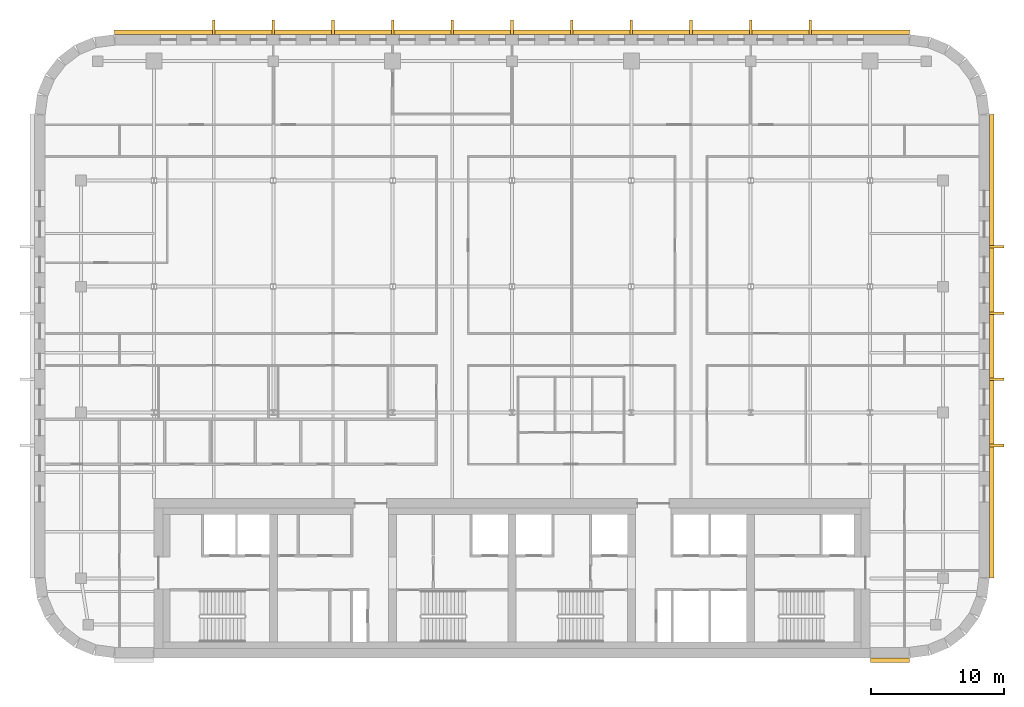
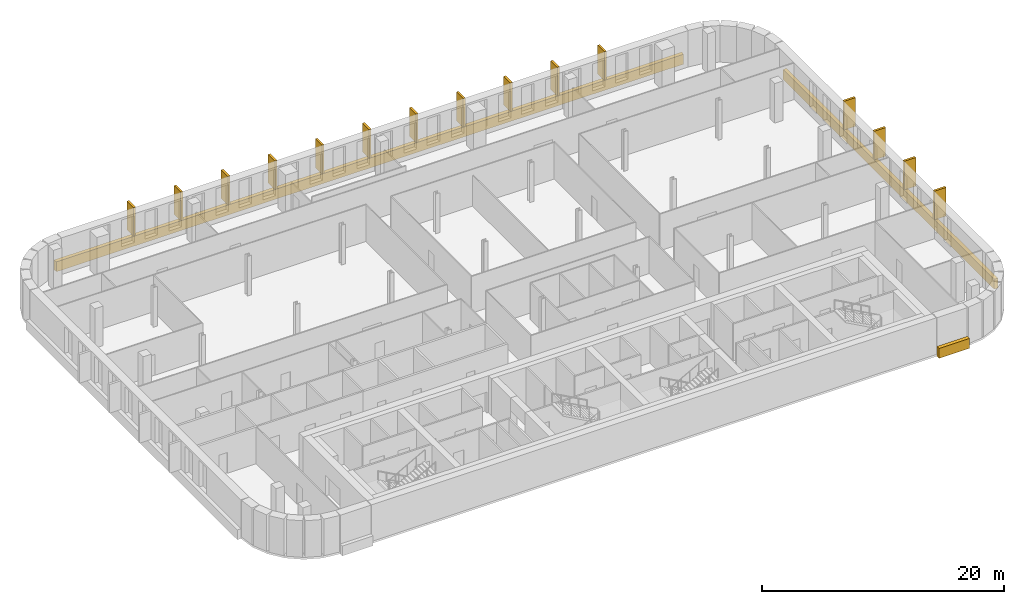
# One storey, part 15 of 15: 18 coverings.
"""IFC4 building model written with IfcOpenShell, lengths in metres."""

from ifc_helpers import new_model, si_unit, direction, frame, origin, place, context, subcontext, project, spatial, polyline, outline, extrude, material, layer, layer_set, type_object, element, save


model = new_model("IFC4")

# Units and contexts
model_context = context("Model", 3, precision=1e-05, world=origin(), true_north=direction((0.0, 1.0)))
body_context = subcontext(model_context, "Body", "Model", "MODEL_VIEW")
ifc_project = project(units=[si_unit("LENGTHUNIT", "METRE"), si_unit("AREAUNIT", "SQUARE_METRE"), si_unit("VOLUMEUNIT", "CUBIC_METRE"), si_unit("PLANEANGLEUNIT", "RADIAN"), si_unit("MASSUNIT", "GRAM", prefix="KILO")], contexts=[model_context])

# Site, building, storey
site_placement = place(None, origin())
site = spatial("IfcSite", under=ifc_project, at=site_placement, CompositionType="ELEMENT")
building_placement = place(site_placement, origin())
building = spatial("IfcBuilding", under=site, at=building_placement, Name="Zellij Exchange Tower", CompositionType="ELEMENT")
storey_placement = place(building_placement, frame((0.0, 0.0, 260.5)))
storey = spatial("IfcBuildingStorey", under=building, at=storey_placement, Name="L61", CompositionType="ELEMENT", Elevation=260.5)

# Coverings
ifc_material = material(Name="Limestone cladding", Category="masonry")
ifc_layer = layer(ifc_material, 0.35009765625)
ifc_layer_set = layer_set([ifc_layer], Name="Limestone cladding")
covering_type_1 = type_object("IfcCoveringType", Name="ENV-CV10 Stone spandrel band 350", PredefinedType="CLADDING", material=ifc_layer_set)
covering_1_placement = place(storey_placement, frame((0.0, 0.0, -0.199951171875)))
element("IfcCovering", 1, at=covering_1_placement, inside=storey, type_object=covering_type_1, Name="Stone spandrel band", PredefinedType="CLADDING", context=body_context, shape_type="SweptSolid", body=[
    extrude(outline(polyline([(27.050048828125, -14.0), (29.973876953125, -14.0), (29.973876953125, -14.35009765625), (27.050048828125, -14.35009765625), (27.050048828125, -14.0)])), origin(), (0.0, 0.0, 1.0), 1.0),
])
covering_2_placement = place(storey_placement, frame((0.0, 0.0, -0.199951171875)))
element("IfcCovering", 2, at=covering_2_placement, inside=storey, type_object=covering_type_1, Name="Stone spandrel band", PredefinedType="CLADDING", context=body_context, shape_type="SweptSolid", body=[
    extrude(outline(polyline([(36.0, -7.973876953125), (36.0, 26.973876953125), (36.35009765625, 26.99658203125), (36.35009765625, -7.99658203125), (36.0, -7.973876953125)])), origin(), (0.0, 0.0, 1.0), 1.0),
])
covering_3_placement = place(storey_placement, frame((0.0, 0.0, -0.199951171875)))
element("IfcCovering", 3, at=covering_3_placement, inside=storey, type_object=covering_type_1, Name="Stone spandrel band", PredefinedType="CLADDING", context=body_context, shape_type="SweptSolid", body=[
    extrude(outline(polyline([(29.973876953125, 33.0), (-29.973876953125, 33.0), (-29.99658203125, 33.35009765625), (29.99658203125, 33.35009765625), (29.973876953125, 33.0)])), origin(), (0.0, 0.0, 1.0), 1.0),
])
covering_type_2 = type_object("IfcCoveringType", Name="ENV-CV6 Stone pier 200x1100", PredefinedType="CLADDING", material=ifc_material)
covering_4_placement = place(storey_placement, frame((0.0, 0.0, 0.800048828125)))
element("IfcCovering", 4, at=covering_4_placement, inside=storey, type_object=covering_type_2, Name="Stone pier", PredefinedType="CLADDING", context=body_context, shape_type="SweptSolid", body=[
    extrude(outline(polyline([(36.0, 1.9111328125), (36.0, 2.111083984375), (37.10009765625, 2.111083984375), (37.10009765625, 1.9111328125), (36.0, 1.9111328125)])), origin(), (0.0, 0.0, 1.0), 2.89990234375),
])
covering_5_placement = place(storey_placement, frame((0.0, 0.0, 0.800048828125)))
element("IfcCovering", 5, at=covering_5_placement, inside=storey, type_object=covering_type_2, Name="Stone pier", PredefinedType="CLADDING", context=body_context, shape_type="SweptSolid", body=[
    extrude(outline(polyline([(36.0, 6.90380859375), (36.0, 7.103759765625), (37.10009765625, 7.103759765625), (37.10009765625, 6.90380859375), (36.0, 6.90380859375)])), origin(), (0.0, 0.0, 1.0), 2.89990234375),
])
covering_6_placement = place(storey_placement, frame((0.0, 0.0, 0.800048828125)))
element("IfcCovering", 6, at=covering_6_placement, inside=storey, type_object=covering_type_2, Name="Stone pier", PredefinedType="CLADDING", context=body_context, shape_type="SweptSolid", body=[
    extrude(outline(polyline([(36.0, 11.896240234375), (36.0, 12.09619140625), (37.10009765625, 12.09619140625), (37.10009765625, 11.896240234375), (36.0, 11.896240234375)])), origin(), (0.0, 0.0, 1.0), 2.89990234375),
])
covering_7_placement = place(storey_placement, frame((0.0, 0.0, 0.800048828125)))
element("IfcCovering", 7, at=covering_7_placement, inside=storey, type_object=covering_type_2, Name="Stone pier", PredefinedType="CLADDING", context=body_context, shape_type="SweptSolid", body=[
    extrude(outline(polyline([(36.0, 16.888916015625), (36.0, 17.0888671875), (37.10009765625, 17.0888671875), (37.10009765625, 16.888916015625), (36.0, 16.888916015625)])), origin(), (0.0, 0.0, 1.0), 2.89990234375),
])
covering_8_placement = place(storey_placement, frame((0.0, 0.0, 0.800048828125)))
element("IfcCovering", 8, at=covering_8_placement, inside=storey, type_object=covering_type_2, Name="Stone pier", PredefinedType="CLADDING", context=body_context, shape_type="SweptSolid", body=[
    extrude(outline(polyline([(22.60009765625, 33.0), (22.39990234375, 33.0), (22.39990234375, 34.10009765625), (22.60009765625, 34.10009765625), (22.60009765625, 33.0)])), origin(), (0.0, 0.0, 1.0), 2.89990234375),
])
covering_9_placement = place(storey_placement, frame((0.0, 0.0, 0.800048828125)))
element("IfcCovering", 9, at=covering_9_placement, inside=storey, type_object=covering_type_2, Name="Stone pier", PredefinedType="CLADDING", context=body_context, shape_type="SweptSolid", body=[
    extrude(outline(polyline([(18.10009765625, 33.0), (17.89990234375, 33.0), (17.89990234375, 34.10009765625), (18.10009765625, 34.10009765625), (18.10009765625, 33.0)])), origin(), (0.0, 0.0, 1.0), 2.89990234375),
])
covering_10_placement = place(storey_placement, frame((0.0, 0.0, 0.800048828125)))
element("IfcCovering", 10, at=covering_10_placement, inside=storey, type_object=covering_type_2, Name="Stone pier", PredefinedType="CLADDING", context=body_context, shape_type="SweptSolid", body=[
    extrude(outline(polyline([(13.60009765625, 33.0), (13.39990234375, 33.0), (13.39990234375, 34.10009765625), (13.60009765625, 34.10009765625), (13.60009765625, 33.0)])), origin(), (0.0, 0.0, 1.0), 2.89990234375),
])
covering_11_placement = place(storey_placement, frame((0.0, 0.0, 0.800048828125)))
element("IfcCovering", 11, at=covering_11_placement, inside=storey, type_object=covering_type_2, Name="Stone pier", PredefinedType="CLADDING", context=body_context, shape_type="SweptSolid", body=[
    extrude(outline(polyline([(9.10009765625, 33.0), (8.89990234375, 33.0), (8.89990234375, 34.10009765625), (9.10009765625, 34.10009765625), (9.10009765625, 33.0)])), origin(), (0.0, 0.0, 1.0), 2.89990234375),
])
covering_12_placement = place(storey_placement, frame((0.0, 0.0, 0.800048828125)))
element("IfcCovering", 12, at=covering_12_placement, inside=storey, type_object=covering_type_2, Name="Stone pier", PredefinedType="CLADDING", context=body_context, shape_type="SweptSolid", body=[
    extrude(outline(polyline([(4.60009765625, 33.0), (4.39990234375, 33.0), (4.39990234375, 34.10009765625), (4.60009765625, 34.10009765625), (4.60009765625, 33.0)])), origin(), (0.0, 0.0, 1.0), 2.89990234375),
])
covering_13_placement = place(storey_placement, frame((0.0, 0.0, 0.800048828125)))
element("IfcCovering", 13, at=covering_13_placement, inside=storey, type_object=covering_type_2, Name="Stone pier", PredefinedType="CLADDING", context=body_context, shape_type="SweptSolid", body=[
    extrude(outline(polyline([(0.10009765625, 33.0), (-0.10009765625, 33.0), (-0.10009765625, 34.10009765625), (0.10009765625, 34.10009765625), (0.10009765625, 33.0)])), origin(), (0.0, 0.0, 1.0), 2.89990234375),
])
covering_14_placement = place(storey_placement, frame((0.0, 0.0, 0.800048828125)))
element("IfcCovering", 14, at=covering_14_placement, inside=storey, type_object=covering_type_2, Name="Stone pier", PredefinedType="CLADDING", context=body_context, shape_type="SweptSolid", body=[
    extrude(outline(polyline([(-4.39990234375, 33.0), (-4.60009765625, 33.0), (-4.60009765625, 34.10009765625), (-4.39990234375, 34.10009765625), (-4.39990234375, 33.0)])), origin(), (0.0, 0.0, 1.0), 2.89990234375),
])
covering_15_placement = place(storey_placement, frame((0.0, 0.0, 0.800048828125)))
element("IfcCovering", 15, at=covering_15_placement, inside=storey, type_object=covering_type_2, Name="Stone pier", PredefinedType="CLADDING", context=body_context, shape_type="SweptSolid", body=[
    extrude(outline(polyline([(-8.89990234375, 33.0), (-9.10009765625, 33.0), (-9.10009765625, 34.10009765625), (-8.89990234375, 34.10009765625), (-8.89990234375, 33.0)])), origin(), (0.0, 0.0, 1.0), 2.89990234375),
])
covering_16_placement = place(storey_placement, frame((0.0, 0.0, 0.800048828125)))
element("IfcCovering", 16, at=covering_16_placement, inside=storey, type_object=covering_type_2, Name="Stone pier", PredefinedType="CLADDING", context=body_context, shape_type="SweptSolid", body=[
    extrude(outline(polyline([(-13.39990234375, 33.0), (-13.60009765625, 33.0), (-13.60009765625, 34.10009765625), (-13.39990234375, 34.10009765625), (-13.39990234375, 33.0)])), origin(), (0.0, 0.0, 1.0), 2.89990234375),
])
covering_17_placement = place(storey_placement, frame((0.0, 0.0, 0.800048828125)))
element("IfcCovering", 17, at=covering_17_placement, inside=storey, type_object=covering_type_2, Name="Stone pier", PredefinedType="CLADDING", context=body_context, shape_type="SweptSolid", body=[
    extrude(outline(polyline([(-17.89990234375, 33.0), (-18.10009765625, 33.0), (-18.10009765625, 34.10009765625), (-17.89990234375, 34.10009765625), (-17.89990234375, 33.0)])), origin(), (0.0, 0.0, 1.0), 2.89990234375),
])
covering_18_placement = place(storey_placement, frame((0.0, 0.0, 0.800048828125)))
element("IfcCovering", 18, at=covering_18_placement, inside=storey, type_object=covering_type_2, Name="Stone pier", PredefinedType="CLADDING", context=body_context, shape_type="SweptSolid", body=[
    extrude(outline(polyline([(-22.39990234375, 33.0), (-22.60009765625, 33.0), (-22.60009765625, 34.10009765625), (-22.39990234375, 34.10009765625), (-22.39990234375, 33.0)])), origin(), (0.0, 0.0, 1.0), 2.89990234375),
])

save(model, "model.ifc")
